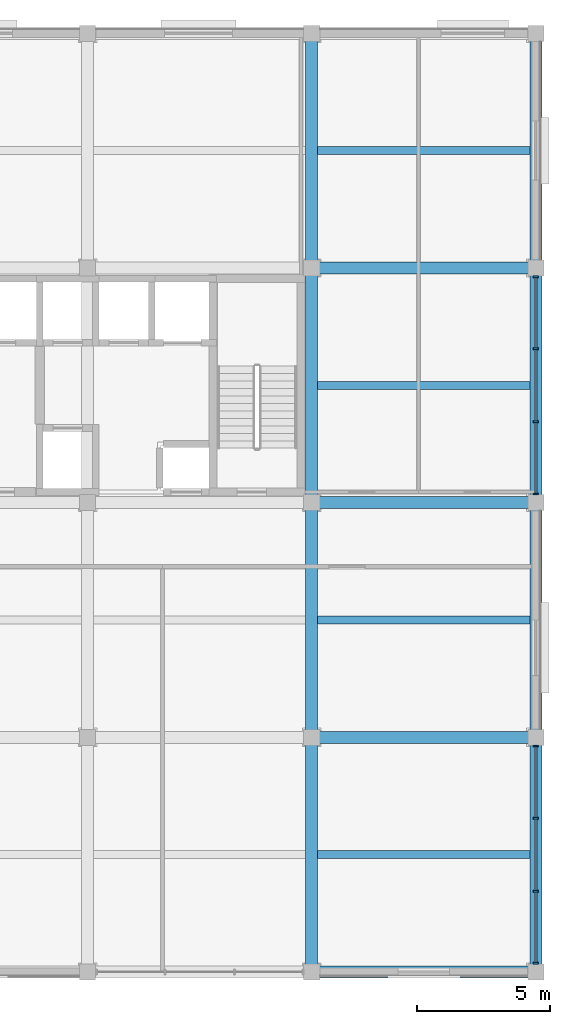
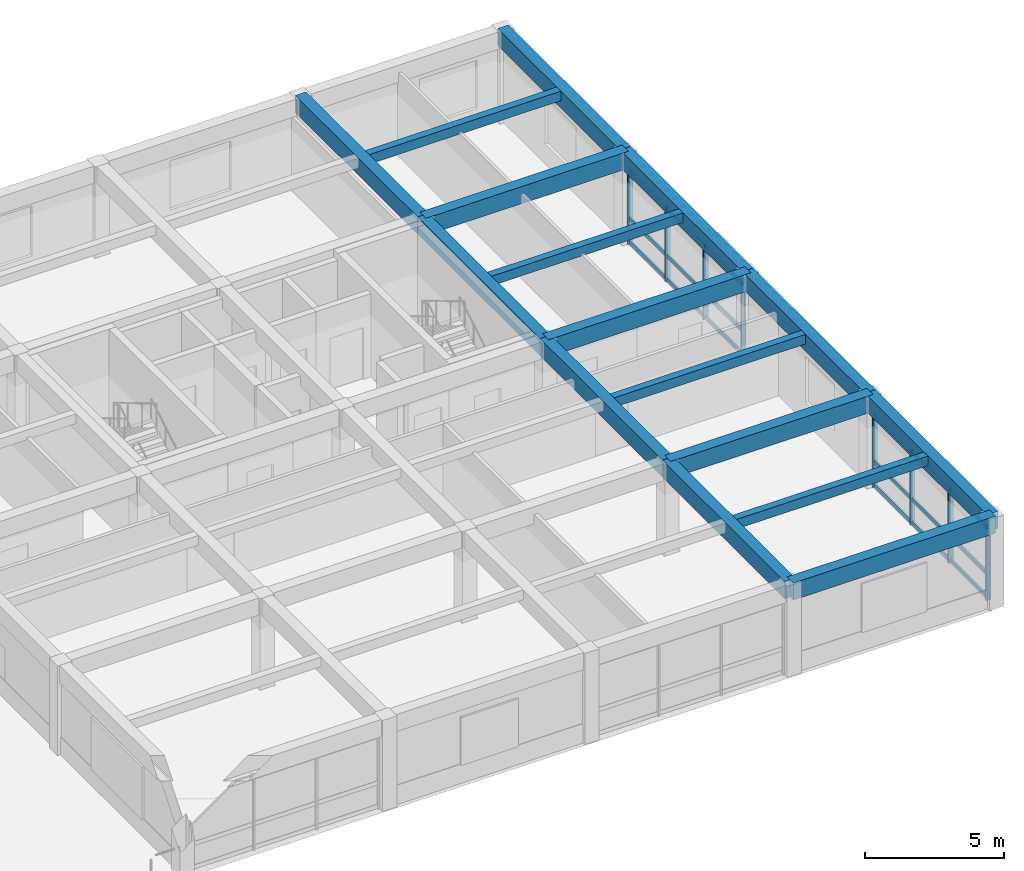
# One storey, part 3 of 10: 26 members, 16 beams, 2 elements without a shape of their own.
"""IFC4 building model written with IfcOpenShell, lengths in metres."""

from ifc_helpers import new_model, si_unit, direction, frame, origin, origin_2d, place, context, subcontext, project, spatial, rectangle, extrude, material, material_profile, profile_set, type_object, element, aggregate, save


model = new_model("IFC4")

# Units and contexts
model_context = context("Model", 3, precision=1e-05, world=origin(), true_north=direction((0.0, 1.0)))
body_context = subcontext(model_context, "Body", "Model", "MODEL_VIEW")
ifc_project = project(units=[si_unit("LENGTHUNIT", "METRE"), si_unit("AREAUNIT", "SQUARE_METRE"), si_unit("VOLUMEUNIT", "CUBIC_METRE"), si_unit("PLANEANGLEUNIT", "RADIAN"), si_unit("MASSUNIT", "GRAM", prefix="KILO")], contexts=[model_context])

# Site, building, storey
site_placement = place(None, origin())
site = spatial("IfcSite", under=ifc_project, at=site_placement, CompositionType="ELEMENT")
building_placement = place(site_placement, origin())
building = spatial("IfcBuilding", under=site, at=building_placement, Name="Kemercrest Conservatory and Botanical Centre", CompositionType="ELEMENT")
storey_placement = place(building_placement, frame((0.0, 0.0, 48.199951171875)))
storey = spatial("IfcBuildingStorey", under=building, at=storey_placement, Name="L12", CompositionType="ELEMENT", Elevation=48.199951171875)

# Beams
ifc_material_1 = material(Name="Concrete C40/50", Category="concrete")
ifc_material_profile_1 = material_profile(ifc_material_1, rectangle(XDim=0.449951171875, YDim=0.75, at=origin_2d()), Name="RC 450x750")
ifc_profile_set_1 = profile_set([ifc_material_profile_1], Name="Concrete C40/50")
beam_type_1 = type_object("IfcBeamType", Name="BM-RC75", PredefinedType="BEAM", material=ifc_profile_set_1)
for number, where, z_axis, x_axis, name in (
    (1, (167.60009765625, 96.0, 3.625), (1.0, 0.0, 0.0), (0.0, 1.0, 0.0), "V4-L13 beam BM-RC75 L/20-21"),
    (2, (167.60009765625, 104.800048828125, 3.625), (1.0, 0.0, 0.0), (0.0, 1.0, 0.0), "V4-L13 beam BM-RC75 M/20-21"),
    (3, (167.60009765625, 113.60009765625, 3.625), (1.0, 0.0, 0.0), (0.0, 1.0, 0.0), "V4-L13 beam BM-RC75 N/20-21"),
):
    element("IfcBeam", number, at=place(storey_placement, frame(where, z_axis=z_axis, x_axis=x_axis)), inside=storey, type_object=beam_type_1, Name=name, PredefinedType="BEAM", context=body_context, shape_type="SweptSolid", body=[
        extrude(rectangle(XDim=0.449951171875, YDim=0.75, at=origin_2d()), origin(), (0.0, 0.0, 1.0), 8.39990234375),
    ])
for number, where, z_axis, x_axis, name in (
    (4, (167.60009765625, 87.199951171875, 3.625), (0.0, 1.0, 0.0), (-1.0, 0.0, 0.0), "V4-L13 beam BM-RC75 20/K-L"),
    (5, (167.60009765625, 96.0, 3.625), (0.0, 1.0, 0.0), (-1.0, 0.0, 0.0), "V4-L13 beam BM-RC75 20/L-M"),
    (6, (167.60009765625, 104.800048828125, 3.625), (0.0, 1.0, 0.0), (-1.0, 0.0, 0.0), "V4-L13 beam BM-RC75 20/M-N"),
):
    element("IfcBeam", number, at=place(storey_placement, frame(where, z_axis=z_axis, x_axis=x_axis)), inside=storey, type_object=beam_type_1, Name=name, PredefinedType="BEAM", context=body_context, shape_type="SweptSolid", body=[
        extrude(rectangle(XDim=0.449951171875, YDim=0.75, at=origin_2d()), origin(), (0.0, 0.0, 1.0), 8.800048828125),
    ])
beam_1_placement = place(storey_placement, frame((167.60009765625, 113.60009765625, 3.625), z_axis=(0.0, 1.0, 0.0), x_axis=(-1.0, 0.0, 0.0)))
element("IfcBeam", 7, at=beam_1_placement, inside=storey, type_object=beam_type_1, Name="V4-L13 beam BM-RC75 20/N-P", PredefinedType="BEAM", context=body_context, shape_type="SweptSolid", body=[
    extrude(rectangle(XDim=0.449951171875, YDim=0.75, at=origin_2d()), origin(), (0.0, 0.0, 1.0), 8.7998046875),
])

# Curtain wall, members
ifc_material_2 = material(Name="Thermally broken aluminium and triple low-e glazing", Category="aluminium")
curtain_wall_type_1 = type_object("IfcCurtainWallType", Name="CW-11", PredefinedType="USERDEFINED", material=ifc_material_2)
curtain_wall_1_placement = place(storey_placement, origin())
curtain_wall_1 = element("IfcCurtainWall", 8, at=curtain_wall_1_placement, inside=storey, type_object=curtain_wall_type_1, Name="Unitised curtain wall CW-11 (CW:L12:V4-130)", ObjectType="UNITISED CURTAIN WALL", PredefinedType="USERDEFINED")
ifc_material_3 = material(Name="Thermally broken anodized aluminium 6063-T6", Category="aluminium")
ifc_material_profile_2 = material_profile(ifc_material_3, rectangle(XDim=0.199951171875, YDim=0.06494140625, at=origin_2d()), Name="AL MULLION 65x200")
ifc_profile_set_2 = profile_set([ifc_material_profile_2], Name="Thermally broken anodized aluminium 6063-T6")
member_type_1 = type_object("IfcMemberType", Name="CW-M200", PredefinedType="MULLION", material=ifc_profile_set_2)
member_1_placement = place(storey_placement, frame((176.0, 87.527587890625, 0.0), z_axis=(0.0, 0.0, 1.0), x_axis=(-1.0, 0.0, 0.0)))
member_1 = element("IfcMember", 9, at=member_1_placement, type_object=member_type_1, Name="CW-11 mullion 1", PredefinedType="MULLION", context=body_context, shape_type="SweptSolid", body=[
    extrude(rectangle(XDim=0.199951171875, YDim=0.06494140625, at=origin_2d()), origin(), (0.0, 0.0, 1.0), 3.255126953125),
])
member_2_placement = place(storey_placement, frame((176.0, 90.231689453125, 0.0), z_axis=(0.0, 0.0, 1.0), x_axis=(-1.0, 0.0, 0.0)))
member_2 = element("IfcMember", 10, at=member_2_placement, type_object=member_type_1, Name="CW-11 mullion 2", PredefinedType="MULLION", context=body_context, shape_type="SweptSolid", body=[
    extrude(rectangle(XDim=0.199951171875, YDim=0.06494140625, at=origin_2d()), origin(), (0.0, 0.0, 1.0), 3.255126953125),
])
member_3_placement = place(storey_placement, frame((176.0, 92.96826171875, 0.0), z_axis=(0.0, 0.0, 1.0), x_axis=(-1.0, 0.0, 0.0)))
member_3 = element("IfcMember", 11, at=member_3_placement, type_object=member_type_1, Name="CW-11 mullion 3", PredefinedType="MULLION", context=body_context, shape_type="SweptSolid", body=[
    extrude(rectangle(XDim=0.199951171875, YDim=0.06494140625, at=origin_2d()), origin(), (0.0, 0.0, 1.0), 3.255126953125),
])
member_4_placement = place(storey_placement, frame((176.0, 95.672607421875, 0.0), z_axis=(0.0, 0.0, 1.0), x_axis=(-1.0, 0.0, 0.0)))
member_4 = element("IfcMember", 12, at=member_4_placement, type_object=member_type_1, Name="CW-11 mullion 4", PredefinedType="MULLION", context=body_context, shape_type="SweptSolid", body=[
    extrude(rectangle(XDim=0.199951171875, YDim=0.06494140625, at=origin_2d()), origin(), (0.0, 0.0, 1.0), 3.255126953125),
])

curtain_wall_type_2 = type_object("IfcCurtainWallType", Name="CW-12", PredefinedType="USERDEFINED", material=ifc_material_2)
curtain_wall_2_placement = place(storey_placement, origin())
curtain_wall_2 = element("IfcCurtainWall", 13, at=curtain_wall_2_placement, inside=storey, type_object=curtain_wall_type_2, Name="Unitised curtain wall CW-12 (CW:L12:V4-131)", ObjectType="UNITISED CURTAIN WALL", PredefinedType="USERDEFINED")
member_5_placement = place(storey_placement, frame((176.0, 105.12744140625, 0.0), z_axis=(0.0, 0.0, 1.0), x_axis=(-1.0, 0.0, 0.0)))
member_5 = element("IfcMember", 14, at=member_5_placement, type_object=member_type_1, Name="CW-12 mullion 1", PredefinedType="MULLION", context=body_context, shape_type="SweptSolid", body=[
    extrude(rectangle(XDim=0.199951171875, YDim=0.06494140625, at=origin_2d()), origin(), (0.0, 0.0, 1.0), 3.255126953125),
])
member_6_placement = place(storey_placement, frame((176.0, 107.831787109375, 0.0), z_axis=(0.0, 0.0, 1.0), x_axis=(-1.0, 0.0, 0.0)))
member_6 = element("IfcMember", 15, at=member_6_placement, type_object=member_type_1, Name="CW-12 mullion 2", PredefinedType="MULLION", context=body_context, shape_type="SweptSolid", body=[
    extrude(rectangle(XDim=0.199951171875, YDim=0.06494140625, at=origin_2d()), origin(), (0.0, 0.0, 1.0), 3.255126953125),
])
member_7_placement = place(storey_placement, frame((176.0, 110.568359375, 0.0), z_axis=(0.0, 0.0, 1.0), x_axis=(-1.0, 0.0, 0.0)))
member_7 = element("IfcMember", 16, at=member_7_placement, type_object=member_type_1, Name="CW-12 mullion 3", PredefinedType="MULLION", context=body_context, shape_type="SweptSolid", body=[
    extrude(rectangle(XDim=0.199951171875, YDim=0.06494140625, at=origin_2d()), origin(), (0.0, 0.0, 1.0), 3.255126953125),
])
member_8_placement = place(storey_placement, frame((176.0, 113.2724609375, 0.0), z_axis=(0.0, 0.0, 1.0), x_axis=(-1.0, 0.0, 0.0)))
member_8 = element("IfcMember", 17, at=member_8_placement, type_object=member_type_1, Name="CW-12 mullion 4", PredefinedType="MULLION", context=body_context, shape_type="SweptSolid", body=[
    extrude(rectangle(XDim=0.199951171875, YDim=0.06494140625, at=origin_2d()), origin(), (0.0, 0.0, 1.0), 3.255126953125),
])

# Member
ifc_material_profile_3 = material_profile(ifc_material_3, rectangle(XDim=0.074951171875, YDim=0.179931640625, at=origin_2d()), Name="AL TRANSOM 75x180")
ifc_profile_set_3 = profile_set([ifc_material_profile_3], Name="Thermally broken anodized aluminium 6063-T6")
member_type_2 = type_object("IfcMemberType", Name="CW-T180", PredefinedType="USERDEFINED", material=ifc_profile_set_3)
member_9_placement = place(storey_placement, frame((176.0, 87.56005859375, 0.090087890625), z_axis=(0.0, 1.0, 0.0), x_axis=(-1.0, 0.0, 0.0)))
member_9 = element("IfcMember", 18, at=member_9_placement, type_object=member_type_2, Name="CW-11 transom 1.1", ObjectType="TRANSOM", PredefinedType="USERDEFINED", context=body_context, shape_type="SweptSolid", body=[
    extrude(rectangle(XDim=0.074951171875, YDim=0.179931640625, at=origin_2d()), origin(), (0.0, 0.0, 1.0), 2.63916015625),
])

member_10_placement = place(storey_placement, frame((176.0, 87.56005859375, 1.1201171875), z_axis=(0.0, 1.0, 0.0), x_axis=(-1.0, 0.0, 0.0)))
member_10 = element("IfcMember", 19, at=member_10_placement, type_object=member_type_2, Name="CW-11 transom 1.2", ObjectType="TRANSOM", PredefinedType="USERDEFINED", context=body_context, shape_type="SweptSolid", body=[
    extrude(rectangle(XDim=0.074951171875, YDim=0.179931640625, at=origin_2d()), origin(), (0.0, 0.0, 1.0), 2.63916015625),
])

member_11_placement = place(storey_placement, frame((176.0, 87.56005859375, 3.1650390625), z_axis=(0.0, 1.0, 0.0), x_axis=(-1.0, 0.0, 0.0)))
member_11 = element("IfcMember", 20, at=member_11_placement, type_object=member_type_2, Name="CW-11 transom 1.3", ObjectType="TRANSOM", PredefinedType="USERDEFINED", context=body_context, shape_type="SweptSolid", body=[
    extrude(rectangle(XDim=0.074951171875, YDim=0.179931640625, at=origin_2d()), origin(), (0.0, 0.0, 1.0), 2.63916015625),
])

member_12_placement = place(storey_placement, frame((176.0, 90.26416015625, 0.090087890625), z_axis=(0.0, 1.0, 0.0), x_axis=(-1.0, 0.0, 0.0)))
member_12 = element("IfcMember", 21, at=member_12_placement, type_object=member_type_2, Name="CW-11 transom 2.1", ObjectType="TRANSOM", PredefinedType="USERDEFINED", context=body_context, shape_type="SweptSolid", body=[
    extrude(rectangle(XDim=0.074951171875, YDim=0.179931640625, at=origin_2d()), origin(), (0.0, 0.0, 1.0), 2.671630859375),
])

member_13_placement = place(storey_placement, frame((176.0, 90.26416015625, 1.1201171875), z_axis=(0.0, 1.0, 0.0), x_axis=(-1.0, 0.0, 0.0)))
member_13 = element("IfcMember", 22, at=member_13_placement, type_object=member_type_2, Name="CW-11 transom 2.2", ObjectType="TRANSOM", PredefinedType="USERDEFINED", context=body_context, shape_type="SweptSolid", body=[
    extrude(rectangle(XDim=0.074951171875, YDim=0.179931640625, at=origin_2d()), origin(), (0.0, 0.0, 1.0), 2.671630859375),
])

member_14_placement = place(storey_placement, frame((176.0, 90.26416015625, 3.1650390625), z_axis=(0.0, 1.0, 0.0), x_axis=(-1.0, 0.0, 0.0)))
member_14 = element("IfcMember", 23, at=member_14_placement, type_object=member_type_2, Name="CW-11 transom 2.3", ObjectType="TRANSOM", PredefinedType="USERDEFINED", context=body_context, shape_type="SweptSolid", body=[
    extrude(rectangle(XDim=0.074951171875, YDim=0.179931640625, at=origin_2d()), origin(), (0.0, 0.0, 1.0), 2.671630859375),
])

member_15_placement = place(storey_placement, frame((176.0, 93.000732421875, 0.090087890625), z_axis=(0.0, 1.0, 0.0), x_axis=(-1.0, 0.0, 0.0)))
member_15 = element("IfcMember", 24, at=member_15_placement, type_object=member_type_2, Name="CW-11 transom 3.1", ObjectType="TRANSOM", PredefinedType="USERDEFINED", context=body_context, shape_type="SweptSolid", body=[
    extrude(rectangle(XDim=0.074951171875, YDim=0.179931640625, at=origin_2d()), origin(), (0.0, 0.0, 1.0), 2.63916015625),
])

member_16_placement = place(storey_placement, frame((176.0, 93.000732421875, 1.1201171875), z_axis=(0.0, 1.0, 0.0), x_axis=(-1.0, 0.0, 0.0)))
member_16 = element("IfcMember", 25, at=member_16_placement, type_object=member_type_2, Name="CW-11 transom 3.2", ObjectType="TRANSOM", PredefinedType="USERDEFINED", context=body_context, shape_type="SweptSolid", body=[
    extrude(rectangle(XDim=0.074951171875, YDim=0.179931640625, at=origin_2d()), origin(), (0.0, 0.0, 1.0), 2.63916015625),
])

member_17_placement = place(storey_placement, frame((176.0, 93.000732421875, 3.1650390625), z_axis=(0.0, 1.0, 0.0), x_axis=(-1.0, 0.0, 0.0)))
member_17 = element("IfcMember", 26, at=member_17_placement, type_object=member_type_2, Name="CW-11 transom 3.3", ObjectType="TRANSOM", PredefinedType="USERDEFINED", context=body_context, shape_type="SweptSolid", body=[
    extrude(rectangle(XDim=0.074951171875, YDim=0.179931640625, at=origin_2d()), origin(), (0.0, 0.0, 1.0), 2.63916015625),
])

aggregate(curtain_wall_1, [member_1, member_2, member_3, member_4, member_9, member_10, member_11, member_12, member_13, member_14, member_15, member_16, member_17])

member_18_placement = place(storey_placement, frame((176.0, 105.159912109375, 0.090087890625), z_axis=(0.0, 1.0, 0.0), x_axis=(-1.0, 0.0, 0.0)))
member_18 = element("IfcMember", 27, at=member_18_placement, type_object=member_type_2, Name="CW-12 transom 1.1", ObjectType="TRANSOM", PredefinedType="USERDEFINED", context=body_context, shape_type="SweptSolid", body=[
    extrude(rectangle(XDim=0.074951171875, YDim=0.179931640625, at=origin_2d()), origin(), (0.0, 0.0, 1.0), 2.63916015625),
])

member_19_placement = place(storey_placement, frame((176.0, 105.159912109375, 1.1201171875), z_axis=(0.0, 1.0, 0.0), x_axis=(-1.0, 0.0, 0.0)))
member_19 = element("IfcMember", 28, at=member_19_placement, type_object=member_type_2, Name="CW-12 transom 1.2", ObjectType="TRANSOM", PredefinedType="USERDEFINED", context=body_context, shape_type="SweptSolid", body=[
    extrude(rectangle(XDim=0.074951171875, YDim=0.179931640625, at=origin_2d()), origin(), (0.0, 0.0, 1.0), 2.63916015625),
])

member_20_placement = place(storey_placement, frame((176.0, 105.159912109375, 3.1650390625), z_axis=(0.0, 1.0, 0.0), x_axis=(-1.0, 0.0, 0.0)))
member_20 = element("IfcMember", 29, at=member_20_placement, type_object=member_type_2, Name="CW-12 transom 1.3", ObjectType="TRANSOM", PredefinedType="USERDEFINED", context=body_context, shape_type="SweptSolid", body=[
    extrude(rectangle(XDim=0.074951171875, YDim=0.179931640625, at=origin_2d()), origin(), (0.0, 0.0, 1.0), 2.63916015625),
])

member_21_placement = place(storey_placement, frame((176.0, 107.8642578125, 0.090087890625), z_axis=(0.0, 1.0, 0.0), x_axis=(-1.0, 0.0, 0.0)))
member_21 = element("IfcMember", 30, at=member_21_placement, type_object=member_type_2, Name="CW-12 transom 2.1", ObjectType="TRANSOM", PredefinedType="USERDEFINED", context=body_context, shape_type="SweptSolid", body=[
    extrude(rectangle(XDim=0.074951171875, YDim=0.179931640625, at=origin_2d()), origin(), (0.0, 0.0, 1.0), 2.671630859375),
])

member_22_placement = place(storey_placement, frame((176.0, 107.8642578125, 1.1201171875), z_axis=(0.0, 1.0, 0.0), x_axis=(-1.0, 0.0, 0.0)))
member_22 = element("IfcMember", 31, at=member_22_placement, type_object=member_type_2, Name="CW-12 transom 2.2", ObjectType="TRANSOM", PredefinedType="USERDEFINED", context=body_context, shape_type="SweptSolid", body=[
    extrude(rectangle(XDim=0.074951171875, YDim=0.179931640625, at=origin_2d()), origin(), (0.0, 0.0, 1.0), 2.671630859375),
])

member_23_placement = place(storey_placement, frame((176.0, 107.8642578125, 3.1650390625), z_axis=(0.0, 1.0, 0.0), x_axis=(-1.0, 0.0, 0.0)))
member_23 = element("IfcMember", 32, at=member_23_placement, type_object=member_type_2, Name="CW-12 transom 2.3", ObjectType="TRANSOM", PredefinedType="USERDEFINED", context=body_context, shape_type="SweptSolid", body=[
    extrude(rectangle(XDim=0.074951171875, YDim=0.179931640625, at=origin_2d()), origin(), (0.0, 0.0, 1.0), 2.671630859375),
])

member_24_placement = place(storey_placement, frame((176.0, 110.600830078125, 0.090087890625), z_axis=(0.0, 1.0, 0.0), x_axis=(-1.0, 0.0, 0.0)))
member_24 = element("IfcMember", 33, at=member_24_placement, type_object=member_type_2, Name="CW-12 transom 3.1", ObjectType="TRANSOM", PredefinedType="USERDEFINED", context=body_context, shape_type="SweptSolid", body=[
    extrude(rectangle(XDim=0.074951171875, YDim=0.179931640625, at=origin_2d()), origin(), (0.0, 0.0, 1.0), 2.63916015625),
])

member_25_placement = place(storey_placement, frame((176.0, 110.600830078125, 1.1201171875), z_axis=(0.0, 1.0, 0.0), x_axis=(-1.0, 0.0, 0.0)))
member_25 = element("IfcMember", 34, at=member_25_placement, type_object=member_type_2, Name="CW-12 transom 3.2", ObjectType="TRANSOM", PredefinedType="USERDEFINED", context=body_context, shape_type="SweptSolid", body=[
    extrude(rectangle(XDim=0.074951171875, YDim=0.179931640625, at=origin_2d()), origin(), (0.0, 0.0, 1.0), 2.63916015625),
])

member_26_placement = place(storey_placement, frame((176.0, 110.600830078125, 3.1650390625), z_axis=(0.0, 1.0, 0.0), x_axis=(-1.0, 0.0, 0.0)))
member_26 = element("IfcMember", 35, at=member_26_placement, type_object=member_type_2, Name="CW-12 transom 3.3", ObjectType="TRANSOM", PredefinedType="USERDEFINED", context=body_context, shape_type="SweptSolid", body=[
    extrude(rectangle(XDim=0.074951171875, YDim=0.179931640625, at=origin_2d()), origin(), (0.0, 0.0, 1.0), 2.63916015625),
])

aggregate(curtain_wall_2, [member_5, member_6, member_7, member_8, member_18, member_19, member_20, member_21, member_22, member_23, member_24, member_25, member_26])

# Beams
ifc_material_profile_4 = material_profile(ifc_material_1, rectangle(XDim=0.300048828125, YDim=0.419921875, at=origin_2d()), Name="RC 300x420")
ifc_profile_set_4 = profile_set([ifc_material_profile_4], Name="Concrete C40/50")
beam_type_2 = type_object("IfcBeamType", Name="JS-RC42", PredefinedType="JOIST", material=ifc_profile_set_4)
for number, where, z_axis, x_axis, name in (
    (36, (167.824951171875, 91.60009765625, 3.7900390625), (1.0, 0.0, 0.0), (0.0, 1.0, 0.0), "V4-L13 secondary joist JS-RC42"),
    (37, (167.824951171875, 100.39990234375, 3.7900390625), (1.0, 0.0, 0.0), (0.0, 1.0, 0.0), "V4-L13 secondary joist JS-RC42"),
    (38, (167.824951171875, 109.199951171875, 3.7900390625), (1.0, 0.0, 0.0), (0.0, 1.0, 0.0), "V4-L13 secondary joist JS-RC42"),
    (39, (167.824951171875, 118.0, 3.7900390625), (1.0, 0.0, 0.0), (0.0, 1.0, 0.0), "V4-L13 secondary joist JS-RC42"),
):
    element("IfcBeam", number, at=place(storey_placement, frame(where, z_axis=z_axis, x_axis=x_axis)), inside=storey, type_object=beam_type_2, Name=name, PredefinedType="JOIST", context=body_context, shape_type="SweptSolid", body=[
        extrude(rectangle(XDim=0.300048828125, YDim=0.419921875, at=origin_2d()), origin(), (0.0, 0.0, 1.0), 7.949951171875),
    ])
ifc_material_profile_5 = material_profile(ifc_material_1, rectangle(XDim=0.449951171875, YDim=0.75, at=origin_2d()), Name="RC 450x750")
ifc_profile_set_5 = profile_set([ifc_material_profile_5], Name="Concrete C40/50")
beam_type_3 = type_object("IfcBeamType", Name="SP-RC75", PredefinedType="SPANDREL", material=ifc_profile_set_5)
beam_2_placement = place(storey_placement, frame((167.60009765625, 87.199951171875, 3.625), z_axis=(1.0, 0.0, 0.0), x_axis=(0.0, 1.0, 0.0)))
element("IfcBeam", 40, at=beam_2_placement, inside=storey, type_object=beam_type_3, Name="V4-L13 beam SP-RC75 K/20-21", PredefinedType="SPANDREL", context=body_context, shape_type="SweptSolid", body=[
    extrude(rectangle(XDim=0.449951171875, YDim=0.75, at=origin_2d()), origin(), (0.0, 0.0, 1.0), 8.39990234375),
])
for number, where, z_axis, x_axis, name in (
    (41, (176.0, 87.199951171875, 3.625), (0.0, 1.0, 0.0), (-1.0, 0.0, 0.0), "V4-L13 beam SP-RC75 21/K-L"),
    (42, (176.0, 96.0, 3.625), (0.0, 1.0, 0.0), (-1.0, 0.0, 0.0), "V4-L13 beam SP-RC75 21/L-M"),
    (43, (176.0, 104.800048828125, 3.625), (0.0, 1.0, 0.0), (-1.0, 0.0, 0.0), "V4-L13 beam SP-RC75 21/M-N"),
):
    element("IfcBeam", number, at=place(storey_placement, frame(where, z_axis=z_axis, x_axis=x_axis)), inside=storey, type_object=beam_type_3, Name=name, PredefinedType="SPANDREL", context=body_context, shape_type="SweptSolid", body=[
        extrude(rectangle(XDim=0.449951171875, YDim=0.75, at=origin_2d()), origin(), (0.0, 0.0, 1.0), 8.800048828125),
    ])
beam_3_placement = place(storey_placement, frame((176.0, 113.60009765625, 3.625), z_axis=(0.0, 1.0, 0.0), x_axis=(-1.0, 0.0, 0.0)))
element("IfcBeam", 44, at=beam_3_placement, inside=storey, type_object=beam_type_3, Name="V4-L13 beam SP-RC75 21/N-P", PredefinedType="SPANDREL", context=body_context, shape_type="SweptSolid", body=[
    extrude(rectangle(XDim=0.449951171875, YDim=0.75, at=origin_2d()), origin(), (0.0, 0.0, 1.0), 8.7998046875),
])

save(model, "model.ifc")
